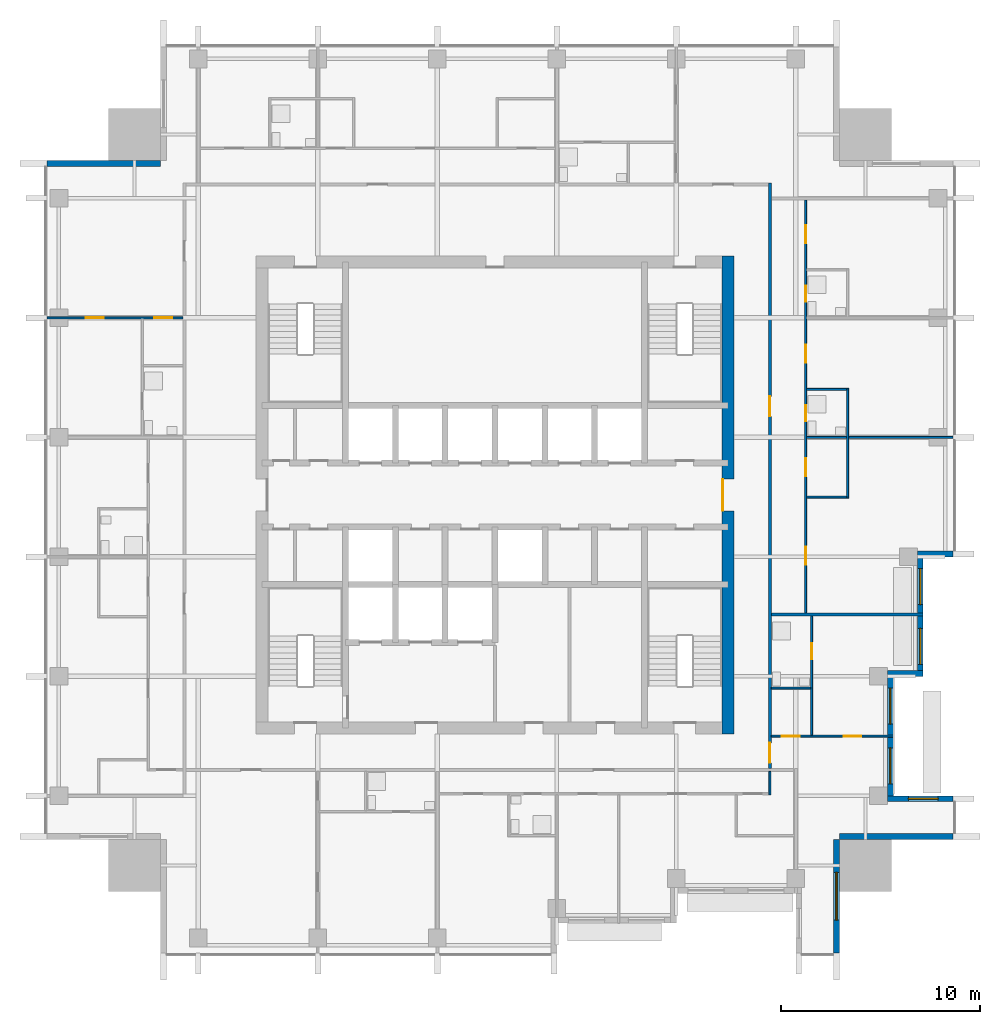
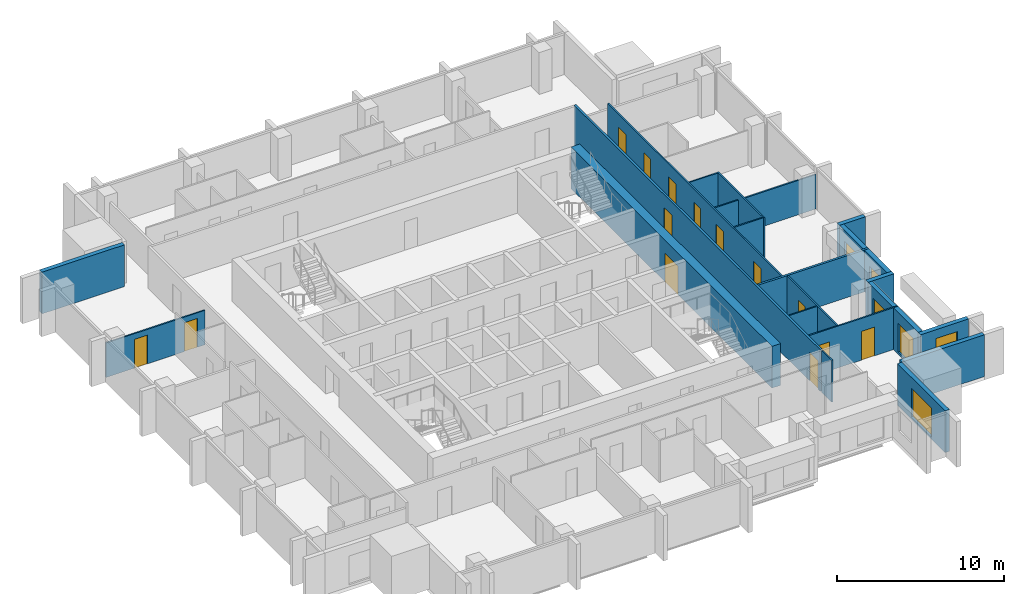
# One storey, part 6 of 10: 21 walls, 14 doors, 6 windows, 20 openings.
"""IFC4 building model written with IfcOpenShell, lengths in metres."""

from ifc_helpers import new_model, si_unit, direction, frame, frame_2d, origin, place, context, subcontext, project, spatial, rectangle, extrude, material, layer, layer_set, type_object, element, fill, save


model = new_model("IFC4")

# Units and contexts
model_context = context("Model", 3, precision=1e-05, world=origin(), true_north=direction((0.0, 1.0)))
body_context = subcontext(model_context, "Body", "Model", "MODEL_VIEW")
ifc_project = project(units=[si_unit("LENGTHUNIT", "METRE"), si_unit("AREAUNIT", "SQUARE_METRE"), si_unit("VOLUMEUNIT", "CUBIC_METRE"), si_unit("PLANEANGLEUNIT", "RADIAN"), si_unit("MASSUNIT", "GRAM", prefix="KILO")], contexts=[model_context])

# Site, building, storey
site_placement = place(None, origin())
site = spatial("IfcSite", under=ifc_project, at=site_placement, CompositionType="ELEMENT")
building_placement = place(site_placement, origin())
building = spatial("IfcBuilding", under=site, at=building_placement, Name="Amberfall Residences", CompositionType="ELEMENT")
storey_placement = place(building_placement, frame((0.0, 0.0, 193.60009765625)))
storey = spatial("IfcBuildingStorey", under=building, at=storey_placement, Name="L51", CompositionType="ELEMENT", Elevation=193.60009765625)

# Wall, opening, window
ifc_material_1 = material(Name="Pale stone cladding on insulated backing", Category="masonry")
ifc_layer_1 = layer(ifc_material_1, 0.300048828125)
ifc_layer_set_1 = layer_set([ifc_layer_1], Name="Bronze clad wall 300")
wall_type_1 = type_object("IfcWallType", Name="Bronze clad wall 300", PredefinedType="SOLIDWALL", material=ifc_layer_set_1)
wall_1_placement = place(storey_placement, frame((91.64990234375, 22.5, 0.0), z_axis=(0.0, 0.0, 1.0), x_axis=(0.0, 1.0, 0.0)))
wall_1 = element("IfcWall", 1, at=wall_1_placement, inside=storey, type_object=wall_type_1, Name="External wall L51 SE", PredefinedType="SOLIDWALL", context=body_context, shape_type="SweptSolid", body=[
    extrude(rectangle(XDim=5.699951171875, YDim=0.300048828125, at=frame_2d((2.85009765625, 0.0))), origin(), (0.0, 0.0, 1.0), 3.0498046875),
])
opening_1_placement = place(wall_1_placement, frame((1.64990234375, 0.0, 0.14990234375)))
opening_1 = element("IfcOpeningElement", 2, at=opening_1_placement, cuts=wall_1, Name="Opening WN5", PredefinedType="OPENING", context=body_context, shape_type="SweptSolid", body=[
    extrude(rectangle(XDim=2.39990234375, YDim=2.10009765625, at=frame_2d((1.199951171875, 1.050048828125))), frame((0.0, 0.159912109375, 0.0), z_axis=(0.0, -1.0, 0.0), x_axis=(1.0, 0.0, 0.0)), (0.0, 0.0, 1.0), 0.320068359375),
])
ifc_material_2 = material(Name="Bronze aluminium framed glazing", Category="aluminium")
window_type_1 = type_object("IfcWindowType", Name="Glazed opening 2400 x 2100 bronze", PartitioningType="DOUBLE_PANEL_VERTICAL", PredefinedType="WINDOW", material=ifc_material_2)
window_1_placement = place(opening_1_placement, origin())
window_1 = element("IfcWindow", 3, at=window_1_placement, inside=storey, type_object=window_type_1, Name="Window L51 SE", OverallHeight=2.10009765625, OverallWidth=2.39990234375, PartitioningType="DOUBLE_PANEL_VERTICAL", PredefinedType="WINDOW", context=body_context, shape_type="SweptSolid", body=[
    extrude(rectangle(XDim=2.39990234375, YDim=2.10009765625, at=frame_2d((1.199951171875, 1.050048828125))), frame((0.0, 0.030029296875, 0.0), z_axis=(0.0, -1.0, 0.0), x_axis=(1.0, 0.0, 0.0)), (0.0, 0.0, 1.0), 0.06005859375),
])
fill(opening_1, window_1)

# Wall
wall_2_placement = place(storey_placement, frame((91.800048828125, 28.35009765625, 0.0), z_axis=(0.0, 0.0, 1.0), x_axis=(1.0, 0.0, 0.0)))
element("IfcWall", 4, at=wall_2_placement, inside=storey, type_object=wall_type_1, Name="External wall L51 SE", PredefinedType="SOLIDWALL", context=body_context, shape_type="SweptSolid", body=[
    extrude(rectangle(XDim=5.699951171875, YDim=0.300048828125, at=frame_2d((2.85009765625, 0.0))), origin(), (0.0, 0.0, 1.0), 3.0498046875),
])

# Wall, opening, window
wall_3_placement = place(storey_placement, frame((97.5, 30.25, 0.0), z_axis=(0.0, 0.0, 1.0), x_axis=(-1.0, 0.0, 0.0)))
wall_3 = element("IfcWall", 5, at=wall_3_placement, inside=storey, type_object=wall_type_1, Name="External wall L51 E", PredefinedType="SOLIDWALL", context=body_context, shape_type="SweptSolid", body=[
    extrude(rectangle(XDim=3.300048828125, YDim=0.300048828125, at=frame_2d((1.64990234375, 0.0))), origin(), (0.0, 0.0, 1.0), 3.0498046875),
])
opening_2_placement = place(wall_3_placement, frame((0.75, 0.0, 0.89990234375)))
opening_2 = element("IfcOpeningElement", 6, at=opening_2_placement, cuts=wall_3, Name="Opening WN1", PredefinedType="OPENING", context=body_context, shape_type="SweptSolid", body=[
    extrude(rectangle(XDim=1.5, YDim=1.5, at=frame_2d((0.75, 0.75))), frame((0.0, 0.159912109375, 0.0), z_axis=(0.0, -1.0, 0.0), x_axis=(1.0, 0.0, 0.0)), (0.0, 0.0, 1.0), 0.320068359375),
])
window_type_2 = type_object("IfcWindowType", Name="Window 1500 x 1500 bronze", PartitioningType="DOUBLE_PANEL_VERTICAL", PredefinedType="WINDOW", material=ifc_material_2)
window_2_placement = place(opening_2_placement, origin())
window_2 = element("IfcWindow", 7, at=window_2_placement, inside=storey, type_object=window_type_2, Name="Window L51 E", OverallHeight=1.5, OverallWidth=1.5, PartitioningType="DOUBLE_PANEL_VERTICAL", PredefinedType="WINDOW", context=body_context, shape_type="SweptSolid", body=[
    extrude(rectangle(XDim=1.5, YDim=1.5, at=frame_2d((0.75, 0.75))), frame((0.0, 0.030029296875, 0.0), z_axis=(0.0, -1.0, 0.0), x_axis=(1.0, 0.0, 0.0)), (0.0, 0.0, 1.0), 0.06005859375),
])
fill(opening_2, window_2)

# Walls
for number, where, z_axis, x_axis, name in (
    (8, (94.199951171875, 36.550048828125, 0.0), (0.0, 0.0, 1.0), (1.0, 0.0, 0.0), "External wall L51 E"),
    (9, (95.699951171875, 42.550048828125, 0.0), (0.0, 0.0, 1.0), (1.0, 0.0, 0.0), "External wall L51 E"),
):
    element("IfcWall", number, at=place(storey_placement, frame(where, z_axis=z_axis, x_axis=x_axis)), inside=storey, type_object=wall_type_1, Name=name, PredefinedType="SOLIDWALL", context=body_context, shape_type="SweptSolid", body=[
        extrude(rectangle(XDim=1.800048828125, YDim=0.300048828125, at=frame_2d((0.89990234375, 0.0))), origin(), (0.0, 0.0, 1.0), 3.0498046875),
    ])
wall_4_placement = place(storey_placement, frame((57.699951171875, 62.14990234375, 0.0), z_axis=(0.0, 0.0, 1.0), x_axis=(-1.0, 0.0, 0.0)))
element("IfcWall", 10, at=wall_4_placement, inside=storey, type_object=wall_type_1, Name="External wall L51 NW", PredefinedType="SOLIDWALL", context=body_context, shape_type="SweptSolid", body=[
    extrude(rectangle(XDim=5.699951171875, YDim=0.300048828125, at=frame_2d((2.85009765625, 0.0))), origin(), (0.0, 0.0, 1.0), 3.0498046875),
])

# Wall, openings, windows
wall_5_placement = place(storey_placement, frame((94.35009765625, 30.39990234375, 0.0), z_axis=(0.0, 0.0, 1.0), x_axis=(0.0, 1.0, 0.0)))
wall_5 = element("IfcWall", 11, at=wall_5_placement, inside=storey, type_object=wall_type_1, Name="Stone wall L51 E", PredefinedType="SOLIDWALL", context=body_context, shape_type="SweptSolid", body=[
    extrude(rectangle(XDim=6.0, YDim=0.300048828125, at=frame_2d((3.0, 0.0))), origin(), (0.0, 0.0, 1.0), 3.0498046875),
])
opening_3_placement = place(wall_5_placement, frame((0.60009765625, 0.0, 0.14990234375)))
opening_3 = element("IfcOpeningElement", 12, at=opening_3_placement, cuts=wall_5, Name="Opening WN6", PredefinedType="OPENING", context=body_context, shape_type="SweptSolid", body=[
    extrude(rectangle(XDim=1.800048828125, YDim=2.10009765625, at=frame_2d((0.89990234375, 1.050048828125))), frame((0.0, 0.159912109375, 0.0), z_axis=(0.0, -1.0, 0.0), x_axis=(1.0, 0.0, 0.0)), (0.0, 0.0, 1.0), 0.320068359375),
])
opening_4_placement = place(wall_5_placement, frame((3.60009765625, 0.0, 0.14990234375)))
opening_4 = element("IfcOpeningElement", 13, at=opening_4_placement, cuts=wall_5, Name="Opening WN6", PredefinedType="OPENING", context=body_context, shape_type="SweptSolid", body=[
    extrude(rectangle(XDim=1.800048828125, YDim=2.10009765625, at=frame_2d((0.89990234375, 1.050048828125))), frame((0.0, 0.159912109375, 0.0), z_axis=(0.0, -1.0, 0.0), x_axis=(1.0, 0.0, 0.0)), (0.0, 0.0, 1.0), 0.320068359375),
])
window_type_3 = type_object("IfcWindowType", Name="Glazed opening 1800 x 2100 bronze", PartitioningType="DOUBLE_PANEL_VERTICAL", PredefinedType="WINDOW", material=ifc_material_2)
window_3_placement = place(opening_3_placement, origin())
window_3 = element("IfcWindow", 14, at=window_3_placement, inside=storey, type_object=window_type_3, Name="Window L51 E", OverallHeight=2.10009765625, OverallWidth=1.800048828125, PartitioningType="DOUBLE_PANEL_VERTICAL", PredefinedType="WINDOW", context=body_context, shape_type="SweptSolid", body=[
    extrude(rectangle(XDim=1.800048828125, YDim=2.10009765625, at=frame_2d((0.89990234375, 1.050048828125))), frame((0.0, 0.030029296875, 0.0), z_axis=(0.0, -1.0, 0.0), x_axis=(1.0, 0.0, 0.0)), (0.0, 0.0, 1.0), 0.06005859375),
])
fill(opening_3, window_3)
window_4_placement = place(opening_4_placement, origin())
window_4 = element("IfcWindow", 15, at=window_4_placement, inside=storey, type_object=window_type_3, Name="Window L51 E", OverallHeight=2.10009765625, OverallWidth=1.800048828125, PartitioningType="DOUBLE_PANEL_VERTICAL", PredefinedType="WINDOW", context=body_context, shape_type="SweptSolid", body=[
    extrude(rectangle(XDim=1.800048828125, YDim=2.10009765625, at=frame_2d((0.89990234375, 1.050048828125))), frame((0.0, 0.030029296875, 0.0), z_axis=(0.0, -1.0, 0.0), x_axis=(1.0, 0.0, 0.0)), (0.0, 0.0, 1.0), 0.06005859375),
])
fill(opening_4, window_4)

wall_6_placement = place(storey_placement, frame((95.85009765625, 36.699951171875, 0.0), z_axis=(0.0, 0.0, 1.0), x_axis=(0.0, 1.0, 0.0)))
wall_6 = element("IfcWall", 16, at=wall_6_placement, inside=storey, type_object=wall_type_1, Name="Stone wall L51 E", PredefinedType="SOLIDWALL", context=body_context, shape_type="SweptSolid", body=[
    extrude(rectangle(XDim=5.699951171875, YDim=0.300048828125, at=frame_2d((2.85009765625, 0.0))), origin(), (0.0, 0.0, 1.0), 3.0498046875),
])
opening_5_placement = place(wall_6_placement, frame((0.300048828125, 0.0, 0.14990234375)))
opening_5 = element("IfcOpeningElement", 17, at=opening_5_placement, cuts=wall_6, Name="Opening WN6", PredefinedType="OPENING", context=body_context, shape_type="SweptSolid", body=[
    extrude(rectangle(XDim=1.800048828125, YDim=2.10009765625, at=frame_2d((0.89990234375, 1.050048828125))), frame((0.0, 0.159912109375, 0.0), z_axis=(0.0, -1.0, 0.0), x_axis=(1.0, 0.0, 0.0)), (0.0, 0.0, 1.0), 0.320068359375),
])
opening_6_placement = place(wall_6_placement, frame((3.300048828125, 0.0, 0.14990234375)))
opening_6 = element("IfcOpeningElement", 18, at=opening_6_placement, cuts=wall_6, Name="Opening WN6", PredefinedType="OPENING", context=body_context, shape_type="SweptSolid", body=[
    extrude(rectangle(XDim=1.800048828125, YDim=2.10009765625, at=frame_2d((0.89990234375, 1.050048828125))), frame((0.0, 0.159912109375, 0.0), z_axis=(0.0, -1.0, 0.0), x_axis=(1.0, 0.0, 0.0)), (0.0, 0.0, 1.0), 0.320068359375),
])
window_5_placement = place(opening_5_placement, origin())
window_5 = element("IfcWindow", 19, at=window_5_placement, inside=storey, type_object=window_type_3, Name="Window L51 E", OverallHeight=2.10009765625, OverallWidth=1.800048828125, PartitioningType="DOUBLE_PANEL_VERTICAL", PredefinedType="WINDOW", context=body_context, shape_type="SweptSolid", body=[
    extrude(rectangle(XDim=1.800048828125, YDim=2.10009765625, at=frame_2d((0.89990234375, 1.050048828125))), frame((0.0, 0.030029296875, 0.0), z_axis=(0.0, -1.0, 0.0), x_axis=(1.0, 0.0, 0.0)), (0.0, 0.0, 1.0), 0.06005859375),
])
fill(opening_5, window_5)
window_6_placement = place(opening_6_placement, origin())
window_6 = element("IfcWindow", 20, at=window_6_placement, inside=storey, type_object=window_type_3, Name="Window L51 E", OverallHeight=2.10009765625, OverallWidth=1.800048828125, PartitioningType="DOUBLE_PANEL_VERTICAL", PredefinedType="WINDOW", context=body_context, shape_type="SweptSolid", body=[
    extrude(rectangle(XDim=1.800048828125, YDim=2.10009765625, at=frame_2d((0.89990234375, 1.050048828125))), frame((0.0, 0.030029296875, 0.0), z_axis=(0.0, -1.0, 0.0), x_axis=(1.0, 0.0, 0.0)), (0.0, 0.0, 1.0), 0.06005859375),
])
fill(opening_6, window_6)

# Wall, opening, door
ifc_material_3 = material(Name="Concrete C55", Category="concrete")
ifc_layer_2 = layer(ifc_material_3, 0.60009765625)
ifc_layer_set_2 = layer_set([ifc_layer_2], Name="Core wall 600 C55")
wall_type_2 = type_object("IfcWallType", Name="Core wall 600 C55", PredefinedType="SHEAR", material=ifc_layer_set_2)
wall_7_placement = place(storey_placement, frame((86.199951171875, 33.5, 0.0), z_axis=(0.0, 0.0, 1.0), x_axis=(0.0, 1.0, 0.0)))
wall_7 = element("IfcWall", 21, at=wall_7_placement, inside=storey, type_object=wall_type_2, Name="Core wall RW7 L51 OE", PredefinedType="SHEAR", context=body_context, shape_type="SweptSolid", body=[
    extrude(rectangle(XDim=24.0, YDim=0.60009765625, at=frame_2d((12.0, 0.0))), origin(), (0.0, 0.0, 1.0), 3.0498046875),
])
opening_7_placement = place(wall_7_placement, frame((11.199951171875, 0.0, 0.0)))
opening_7 = element("IfcOpeningElement", 22, at=opening_7_placement, cuts=wall_7, Name="Opening LB1", PredefinedType="OPENING", context=body_context, shape_type="SweptSolid", body=[
    extrude(rectangle(XDim=1.60009765625, YDim=2.10009765625, at=frame_2d((0.800048828125, 1.050048828125))), frame((0.0, 0.31005859375, 0.0), z_axis=(0.0, -1.0, 0.0), x_axis=(1.0, 0.0, 0.0)), (0.0, 0.0, 1.0), 0.6201171875),
])
ifc_material_4 = material(Name="Steel fire door set", Category="steel")
door_type_1 = type_object("IfcDoorType", Name="Lift lobby double door 1600 x 2100", OperationType="DOUBLE_DOOR_SINGLE_SWING", PredefinedType="DOOR", material=ifc_material_4)
door_1_placement = place(opening_7_placement, origin())
door_1 = element("IfcDoor", 23, at=door_1_placement, inside=storey, type_object=door_type_1, Name="LB1 L51", OperationType="DOUBLE_DOOR_SINGLE_SWING", OverallHeight=2.10009765625, OverallWidth=1.60009765625, PredefinedType="DOOR", context=body_context, shape_type="SweptSolid", body=[
    extrude(rectangle(XDim=1.60009765625, YDim=2.10009765625, at=frame_2d((0.800048828125, 1.050048828125))), frame((0.0, 0.28759765625, 0.0), z_axis=(0.0, -1.0, 0.0), x_axis=(1.0, 0.0, 0.0)), (0.0, 0.0, 1.0), 0.050048828125),
])
fill(opening_7, door_1)

# Wall
ifc_material_5 = material(Name="Gypsum board on metal stud")
ifc_layer_3 = layer(ifc_material_5, 0.10009765625)
ifc_layer_set_3 = layer_set([ifc_layer_3], Name="Flat partition 100")
wall_type_3 = type_object("IfcWallType", Name="Flat partition 100", PredefinedType="PARTITIONING", material=ifc_layer_set_3)
wall_8_placement = place(storey_placement, frame((88.300048828125, 30.449951171875, 0.0), z_axis=(0.0, 0.0, 1.0), x_axis=(0.0, 1.0, 0.0)))
element("IfcWall", 24, at=wall_8_placement, inside=storey, type_object=wall_type_3, Name="Partition 017", PredefinedType="PARTITIONING", context=body_context, shape_type="SweptSolid", body=[
    extrude(rectangle(XDim=1.175048828125, YDim=0.10009765625, at=frame_2d((0.58740234375, 0.0))), origin(), (0.0, 0.0, 1.0), 3.0498046875),
])

# Wall, openings, doors
wall_9_placement = place(storey_placement, frame((90.10009765625, 60.324951171875, 0.0), z_axis=(0.0, 0.0, 1.0), x_axis=(0.0, -1.0, 0.0)))
wall_9 = element("IfcWall", 25, at=wall_9_placement, inside=storey, type_object=wall_type_3, Name="Partition 018", PredefinedType="PARTITIONING", context=body_context, shape_type="SweptSolid", body=[
    extrude(rectangle(XDim=20.75, YDim=0.10009765625, at=frame_2d((10.375, 0.0))), origin(), (0.0, 0.0, 1.0), 3.0498046875),
])
opening_8_placement = place(wall_9_placement, frame((17.425048828125, 0.0, 0.0)))
opening_8 = element("IfcOpeningElement", 26, at=opening_8_placement, cuts=wall_9, Name="Opening D41", PredefinedType="OPENING", context=body_context, shape_type="SweptSolid", body=[
    extrude(rectangle(XDim=0.89990234375, YDim=2.10009765625, at=frame_2d((0.449951171875, 1.050048828125))), frame((0.0, 0.06005859375, 0.0), z_axis=(0.0, -1.0, 0.0), x_axis=(1.0, 0.0, 0.0)), (0.0, 0.0, 1.0), 0.1201171875),
])
opening_9_placement = place(wall_9_placement, frame((12.97509765625, 0.0, 0.0)))
opening_9 = element("IfcOpeningElement", 27, at=opening_9_placement, cuts=wall_9, Name="Opening D41", PredefinedType="OPENING", context=body_context, shape_type="SweptSolid", body=[
    extrude(rectangle(XDim=0.89990234375, YDim=2.10009765625, at=frame_2d((0.449951171875, 1.050048828125))), frame((0.0, 0.06005859375, 0.0), z_axis=(0.0, -1.0, 0.0), x_axis=(1.0, 0.0, 0.0)), (0.0, 0.0, 1.0), 0.1201171875),
])
opening_10_placement = place(wall_9_placement, frame((7.27490234375, 0.0, 0.0)))
opening_10 = element("IfcOpeningElement", 28, at=opening_10_placement, cuts=wall_9, Name="Opening D41", PredefinedType="OPENING", context=body_context, shape_type="SweptSolid", body=[
    extrude(rectangle(XDim=0.89990234375, YDim=2.10009765625, at=frame_2d((0.449951171875, 1.050048828125))), frame((0.0, 0.06005859375, 0.0), z_axis=(0.0, -1.0, 0.0), x_axis=(1.0, 0.0, 0.0)), (0.0, 0.0, 1.0), 0.1201171875),
])
opening_11_placement = place(wall_9_placement, frame((1.27490234375, 0.0, 0.0)))
opening_11 = element("IfcOpeningElement", 29, at=opening_11_placement, cuts=wall_9, Name="Opening D41", PredefinedType="OPENING", context=body_context, shape_type="SweptSolid", body=[
    extrude(rectangle(XDim=0.89990234375, YDim=2.10009765625, at=frame_2d((0.449951171875, 1.050048828125))), frame((0.0, 0.06005859375, 0.0), z_axis=(0.0, -1.0, 0.0), x_axis=(1.0, 0.0, 0.0)), (0.0, 0.0, 1.0), 0.1201171875),
])
opening_12_placement = place(wall_9_placement, frame((10.324951171875, 0.0, 0.0)))
opening_12 = element("IfcOpeningElement", 30, at=opening_12_placement, cuts=wall_9, Name="Opening D42", PredefinedType="OPENING", context=body_context, shape_type="SweptSolid", body=[
    extrude(rectangle(XDim=0.800048828125, YDim=2.10009765625, at=frame_2d((0.39990234375, 1.050048828125))), frame((0.0, 0.06005859375, 0.0), z_axis=(0.0, -1.0, 0.0), x_axis=(1.0, 0.0, 0.0)), (0.0, 0.0, 1.0), 0.1201171875),
])
opening_13_placement = place(wall_9_placement, frame((4.324951171875, 0.0, 0.0)))
opening_13 = element("IfcOpeningElement", 31, at=opening_13_placement, cuts=wall_9, Name="Opening D42", PredefinedType="OPENING", context=body_context, shape_type="SweptSolid", body=[
    extrude(rectangle(XDim=0.800048828125, YDim=2.10009765625, at=frame_2d((0.39990234375, 1.050048828125))), frame((0.0, 0.06005859375, 0.0), z_axis=(0.0, -1.0, 0.0), x_axis=(1.0, 0.0, 0.0)), (0.0, 0.0, 1.0), 0.1201171875),
])
ifc_material_6 = material(Name="Timber", Category="wood")
door_type_2 = type_object("IfcDoorType", Name="Bathroom door 800 x 2100", OperationType="SINGLE_SWING_LEFT", PredefinedType="DOOR", material=ifc_material_6)
door_2_placement = place(opening_12_placement, origin())
door_2 = element("IfcDoor", 32, at=door_2_placement, inside=storey, type_object=door_type_2, Name="Door 5104 bath1", OperationType="SINGLE_SWING_LEFT", OverallHeight=2.10009765625, OverallWidth=0.800048828125, PredefinedType="DOOR", context=body_context, shape_type="SweptSolid", body=[
    extrude(rectangle(XDim=0.800048828125, YDim=2.10009765625, at=frame_2d((0.39990234375, 1.050048828125))), frame((0.0, 0.02490234375, 0.0), z_axis=(0.0, -1.0, 0.0), x_axis=(1.0, 0.0, 0.0)), (0.0, 0.0, 1.0), 0.050048828125),
])
fill(opening_12, door_2)
door_3_placement = place(opening_13_placement, origin())
door_3 = element("IfcDoor", 33, at=door_3_placement, inside=storey, type_object=door_type_2, Name="Door 5104 bath2", OperationType="SINGLE_SWING_LEFT", OverallHeight=2.10009765625, OverallWidth=0.800048828125, PredefinedType="DOOR", context=body_context, shape_type="SweptSolid", body=[
    extrude(rectangle(XDim=0.800048828125, YDim=2.10009765625, at=frame_2d((0.39990234375, 1.050048828125))), frame((0.0, 0.02490234375, 0.0), z_axis=(0.0, -1.0, 0.0), x_axis=(1.0, 0.0, 0.0)), (0.0, 0.0, 1.0), 0.050048828125),
])
fill(opening_13, door_3)
door_type_3 = type_object("IfcDoorType", Name="Internal door 900 x 2100", OperationType="SINGLE_SWING_LEFT", PredefinedType="DOOR", material=ifc_material_6)
door_4_placement = place(opening_8_placement, origin())
door_4 = element("IfcDoor", 34, at=door_4_placement, inside=storey, type_object=door_type_3, Name="Door 5104 living", OperationType="SINGLE_SWING_LEFT", OverallHeight=2.10009765625, OverallWidth=0.89990234375, PredefinedType="DOOR", context=body_context, shape_type="SweptSolid", body=[
    extrude(rectangle(XDim=0.89990234375, YDim=2.10009765625, at=frame_2d((0.449951171875, 1.050048828125))), frame((0.0, 0.02490234375, 0.0), z_axis=(0.0, -1.0, 0.0), x_axis=(1.0, 0.0, 0.0)), (0.0, 0.0, 1.0), 0.050048828125),
])
fill(opening_8, door_4)
door_5_placement = place(opening_9_placement, origin())
door_5 = element("IfcDoor", 35, at=door_5_placement, inside=storey, type_object=door_type_3, Name="Door 5104 kitchen", OperationType="SINGLE_SWING_LEFT", OverallHeight=2.10009765625, OverallWidth=0.89990234375, PredefinedType="DOOR", context=body_context, shape_type="SweptSolid", body=[
    extrude(rectangle(XDim=0.89990234375, YDim=2.10009765625, at=frame_2d((0.449951171875, 1.050048828125))), frame((0.0, 0.02490234375, 0.0), z_axis=(0.0, -1.0, 0.0), x_axis=(1.0, 0.0, 0.0)), (0.0, 0.0, 1.0), 0.050048828125),
])
fill(opening_9, door_5)
door_6_placement = place(opening_10_placement, origin())
door_6 = element("IfcDoor", 36, at=door_6_placement, inside=storey, type_object=door_type_3, Name="Door 5104 bedroom1", OperationType="SINGLE_SWING_LEFT", OverallHeight=2.10009765625, OverallWidth=0.89990234375, PredefinedType="DOOR", context=body_context, shape_type="SweptSolid", body=[
    extrude(rectangle(XDim=0.89990234375, YDim=2.10009765625, at=frame_2d((0.449951171875, 1.050048828125))), frame((0.0, 0.02490234375, 0.0), z_axis=(0.0, -1.0, 0.0), x_axis=(1.0, 0.0, 0.0)), (0.0, 0.0, 1.0), 0.050048828125),
])
fill(opening_10, door_6)
door_7_placement = place(opening_11_placement, origin())
door_7 = element("IfcDoor", 37, at=door_7_placement, inside=storey, type_object=door_type_3, Name="Door 5104 bedroom2", OperationType="SINGLE_SWING_LEFT", OverallHeight=2.10009765625, OverallWidth=0.89990234375, PredefinedType="DOOR", context=body_context, shape_type="SweptSolid", body=[
    extrude(rectangle(XDim=0.89990234375, YDim=2.10009765625, at=frame_2d((0.449951171875, 1.050048828125))), frame((0.0, 0.02490234375, 0.0), z_axis=(0.0, -1.0, 0.0), x_axis=(1.0, 0.0, 0.0)), (0.0, 0.0, 1.0), 0.050048828125),
])
fill(opening_11, door_7)

# Wall, opening, door
wall_10_placement = place(storey_placement, frame((90.39990234375, 33.449951171875, 0.0), z_axis=(0.0, 0.0, 1.0), x_axis=(0.0, 1.0, 0.0)))
wall_10 = element("IfcWall", 38, at=wall_10_placement, inside=storey, type_object=wall_type_3, Name="Partition 019", PredefinedType="PARTITIONING", context=body_context, shape_type="SweptSolid", body=[
    extrude(rectangle(XDim=5.97509765625, YDim=0.10009765625, at=frame_2d((2.987548828125, 0.0))), origin(), (0.0, 0.0, 1.0), 3.0498046875),
])
opening_14_placement = place(wall_10_placement, frame((3.800048828125, 0.0, 0.0)))
opening_14 = element("IfcOpeningElement", 39, at=opening_14_placement, cuts=wall_10, Name="Opening D42", PredefinedType="OPENING", context=body_context, shape_type="SweptSolid", body=[
    extrude(rectangle(XDim=0.800048828125, YDim=2.10009765625, at=frame_2d((0.39990234375, 1.050048828125))), frame((0.0, 0.06005859375, 0.0), z_axis=(0.0, -1.0, 0.0), x_axis=(1.0, 0.0, 0.0)), (0.0, 0.0, 1.0), 0.1201171875),
])
door_8_placement = place(opening_14_placement, origin())
door_8 = element("IfcDoor", 40, at=door_8_placement, inside=storey, type_object=door_type_2, Name="Door 5103 bath1", OperationType="SINGLE_SWING_LEFT", OverallHeight=2.10009765625, OverallWidth=0.800048828125, PredefinedType="DOOR", context=body_context, shape_type="SweptSolid", body=[
    extrude(rectangle(XDim=0.800048828125, YDim=2.10009765625, at=frame_2d((0.39990234375, 1.050048828125))), frame((0.0, 0.02490234375, 0.0), z_axis=(0.0, -1.0, 0.0), x_axis=(1.0, 0.0, 0.0)), (0.0, 0.0, 1.0), 0.050048828125),
])
fill(opening_14, door_8)

# Wall
wall_11_placement = place(storey_placement, frame((92.199951171875, 45.35009765625, 0.0), z_axis=(0.0, 0.0, 1.0), x_axis=(0.0, 1.0, 0.0)))
element("IfcWall", 41, at=wall_11_placement, inside=storey, type_object=wall_type_3, Name="Partition 020", PredefinedType="PARTITIONING", context=body_context, shape_type="SweptSolid", body=[
    extrude(rectangle(XDim=5.5, YDim=0.10009765625, at=frame_2d((2.75, 0.0))), origin(), (0.0, 0.0, 1.0), 3.0498046875),
])

# Wall, openings, doors
wall_12_placement = place(storey_placement, frame((58.824951171875, 54.39990234375, 0.0), z_axis=(0.0, 0.0, 1.0), x_axis=(-1.0, 0.0, 0.0)))
wall_12 = element("IfcWall", 42, at=wall_12_placement, inside=storey, type_object=wall_type_3, Name="Partition 027", PredefinedType="PARTITIONING", context=body_context, shape_type="SweptSolid", body=[
    extrude(rectangle(XDim=6.824951171875, YDim=0.10009765625, at=frame_2d((3.41259765625, 0.0))), origin(), (0.0, 0.0, 1.0), 2.515869140625),
])
opening_15_placement = place(wall_12_placement, frame((0.52490234375, 0.0, 0.0)))
opening_15 = element("IfcOpeningElement", 43, at=opening_15_placement, cuts=wall_12, Name="Opening D41", PredefinedType="OPENING", context=body_context, shape_type="SweptSolid", body=[
    extrude(rectangle(XDim=0.89990234375, YDim=2.10009765625, at=frame_2d((0.449951171875, 1.050048828125))), frame((0.0, 0.06005859375, 0.0), z_axis=(0.0, -1.0, 0.0), x_axis=(1.0, 0.0, 0.0)), (0.0, 0.0, 1.0), 0.1201171875),
])
opening_16_placement = place(wall_12_placement, frame((3.97509765625, 0.0, 0.0)))
opening_16 = element("IfcOpeningElement", 44, at=opening_16_placement, cuts=wall_12, Name="Opening D41", PredefinedType="OPENING", context=body_context, shape_type="SweptSolid", body=[
    extrude(rectangle(XDim=0.89990234375, YDim=2.10009765625, at=frame_2d((0.449951171875, 1.050048828125))), frame((0.0, 0.06005859375, 0.0), z_axis=(0.0, -1.0, 0.0), x_axis=(1.0, 0.0, 0.0)), (0.0, 0.0, 1.0), 0.1201171875),
])
door_9_placement = place(opening_15_placement, origin())
door_9 = element("IfcDoor", 45, at=door_9_placement, inside=storey, type_object=door_type_3, Name="Door 5108 kitchen", OperationType="SINGLE_SWING_LEFT", OverallHeight=2.10009765625, OverallWidth=0.89990234375, PredefinedType="DOOR", context=body_context, shape_type="SweptSolid", body=[
    extrude(rectangle(XDim=0.89990234375, YDim=2.10009765625, at=frame_2d((0.449951171875, 1.050048828125))), frame((0.0, 0.02490234375, 0.0), z_axis=(0.0, -1.0, 0.0), x_axis=(1.0, 0.0, 0.0)), (0.0, 0.0, 1.0), 0.050048828125),
])
fill(opening_15, door_9)
door_10_placement = place(opening_16_placement, origin())
door_10 = element("IfcDoor", 46, at=door_10_placement, inside=storey, type_object=door_type_3, Name="Door 5108 bedroom1", OperationType="SINGLE_SWING_LEFT", OverallHeight=2.10009765625, OverallWidth=0.89990234375, PredefinedType="DOOR", context=body_context, shape_type="SweptSolid", body=[
    extrude(rectangle(XDim=0.89990234375, YDim=2.10009765625, at=frame_2d((0.449951171875, 1.050048828125))), frame((0.0, 0.02490234375, 0.0), z_axis=(0.0, -1.0, 0.0), x_axis=(1.0, 0.0, 0.0)), (0.0, 0.0, 1.0), 0.050048828125),
])
fill(opening_16, door_10)

# Walls
wall_13_placement = place(storey_placement, frame((90.14990234375, 50.800048828125, 0.0), z_axis=(0.0, 0.0, 1.0), x_axis=(1.0, 0.0, 0.0)))
element("IfcWall", 47, at=wall_13_placement, inside=storey, type_object=wall_type_3, Name="Partition 030", PredefinedType="PARTITIONING", context=body_context, shape_type="SweptSolid", body=[
    extrude(rectangle(XDim=2.0, YDim=0.10009765625, at=frame_2d((1.0, 0.0))), origin(), (0.0, 0.0, 1.0), 3.0498046875),
])
wall_14_placement = place(storey_placement, frame((90.14990234375, 48.39990234375, 0.0), z_axis=(0.0, 0.0, 1.0), x_axis=(1.0, 0.0, 0.0)))
element("IfcWall", 48, at=wall_14_placement, inside=storey, type_object=wall_type_3, Name="Partition 031", PredefinedType="PARTITIONING", context=body_context, shape_type="SweptSolid", body=[
    extrude(rectangle(XDim=7.35009765625, YDim=0.10009765625, at=frame_2d((3.675048828125, 0.0))), origin(), (0.0, 0.0, 1.0), 2.515869140625),
])
wall_15_placement = place(storey_placement, frame((90.14990234375, 45.39990234375, 0.0), z_axis=(0.0, 0.0, 1.0), x_axis=(1.0, 0.0, 0.0)))
element("IfcWall", 49, at=wall_15_placement, inside=storey, type_object=wall_type_3, Name="Partition 032", PredefinedType="PARTITIONING", context=body_context, shape_type="SweptSolid", body=[
    extrude(rectangle(XDim=2.0, YDim=0.10009765625, at=frame_2d((1.0, 0.0))), origin(), (0.0, 0.0, 1.0), 3.0498046875),
])
wall_16_placement = place(storey_placement, frame((88.375, 35.800048828125, 0.0), z_axis=(0.0, 0.0, 1.0), x_axis=(1.0, 0.0, 0.0)))
element("IfcWall", 50, at=wall_16_placement, inside=storey, type_object=wall_type_3, Name="Partition 036", PredefinedType="PARTITIONING", context=body_context, shape_type="SweptSolid", body=[
    extrude(rectangle(XDim=1.97509765625, YDim=0.10009765625, at=frame_2d((0.987548828125, 0.0))), origin(), (0.0, 0.0, 1.0), 3.0498046875),
])

# Wall, openings, doors
wall_17_placement = place(storey_placement, frame((88.375, 33.39990234375, 0.0), z_axis=(0.0, 0.0, 1.0), x_axis=(1.0, 0.0, 0.0)))
wall_17 = element("IfcWall", 51, at=wall_17_placement, inside=storey, type_object=wall_type_3, Name="Partition 037", PredefinedType="PARTITIONING", context=body_context, shape_type="SweptSolid", body=[
    extrude(rectangle(XDim=6.125, YDim=0.10009765625, at=frame_2d((3.0625, 0.0))), origin(), (0.0, 0.0, 1.0), 3.0498046875),
])
opening_17_placement = place(wall_17_placement, frame((0.52490234375, 0.0, 0.0)))
opening_17 = element("IfcOpeningElement", 52, at=opening_17_placement, cuts=wall_17, Name="Opening D41", PredefinedType="OPENING", context=body_context, shape_type="SweptSolid", body=[
    extrude(rectangle(XDim=0.89990234375, YDim=2.10009765625, at=frame_2d((0.449951171875, 1.050048828125))), frame((0.0, 0.06005859375, 0.0), z_axis=(0.0, -1.0, 0.0), x_axis=(1.0, 0.0, 0.0)), (0.0, 0.0, 1.0), 0.1201171875),
])
opening_18_placement = place(wall_17_placement, frame((3.625, 0.0, 0.0)))
opening_18 = element("IfcOpeningElement", 53, at=opening_18_placement, cuts=wall_17, Name="Opening D41", PredefinedType="OPENING", context=body_context, shape_type="SweptSolid", body=[
    extrude(rectangle(XDim=0.89990234375, YDim=2.10009765625, at=frame_2d((0.449951171875, 1.050048828125))), frame((0.0, 0.06005859375, 0.0), z_axis=(0.0, -1.0, 0.0), x_axis=(1.0, 0.0, 0.0)), (0.0, 0.0, 1.0), 0.1201171875),
])
door_11_placement = place(opening_17_placement, origin())
door_11 = element("IfcDoor", 54, at=door_11_placement, inside=storey, type_object=door_type_3, Name="Door 5103 kitchen", OperationType="SINGLE_SWING_LEFT", OverallHeight=2.10009765625, OverallWidth=0.89990234375, PredefinedType="DOOR", context=body_context, shape_type="SweptSolid", body=[
    extrude(rectangle(XDim=0.89990234375, YDim=2.10009765625, at=frame_2d((0.449951171875, 1.050048828125))), frame((0.0, 0.02490234375, 0.0), z_axis=(0.0, -1.0, 0.0), x_axis=(1.0, 0.0, 0.0)), (0.0, 0.0, 1.0), 0.050048828125),
])
fill(opening_17, door_11)
door_12_placement = place(opening_18_placement, origin())
door_12 = element("IfcDoor", 55, at=door_12_placement, inside=storey, type_object=door_type_3, Name="Door 5103 bedroom1", OperationType="SINGLE_SWING_LEFT", OverallHeight=2.10009765625, OverallWidth=0.89990234375, PredefinedType="DOOR", context=body_context, shape_type="SweptSolid", body=[
    extrude(rectangle(XDim=0.89990234375, YDim=2.10009765625, at=frame_2d((0.449951171875, 1.050048828125))), frame((0.0, 0.02490234375, 0.0), z_axis=(0.0, -1.0, 0.0), x_axis=(1.0, 0.0, 0.0)), (0.0, 0.0, 1.0), 0.050048828125),
])
fill(opening_18, door_12)

ifc_material_7 = material(Name="Blockwork, plastered", Category="masonry")
ifc_layer_4 = layer(ifc_material_7, 0.14990234375)
ifc_layer_set_4 = layer_set([ifc_layer_4], Name="Flat separating wall 150")
wall_type_4 = type_object("IfcWallType", Name="Flat separating wall 150", PredefinedType="PARTITIONING", material=ifc_layer_set_4)
wall_18_placement = place(storey_placement, frame((88.300048828125, 61.175048828125, 0.0), z_axis=(0.0, 0.0, 1.0), x_axis=(0.0, -1.0, 0.0)))
wall_18 = element("IfcWall", 56, at=wall_18_placement, inside=storey, type_object=wall_type_4, Name="Separating wall 048", PredefinedType="PARTITIONING", context=body_context, shape_type="SweptSolid", body=[
    extrude(rectangle(XDim=29.400146484375, YDim=0.14990234375, at=frame_2d((14.7001953125, 0.0))), origin(), (0.0, 0.0, 1.0), 3.0498046875),
])
opening_19_placement = place(wall_18_placement, frame((28.125, 0.0, 0.0)))
opening_19 = element("IfcOpeningElement", 57, at=opening_19_placement, cuts=wall_18, Name="Opening D40", PredefinedType="OPENING", context=body_context, shape_type="SweptSolid", body=[
    extrude(rectangle(XDim=1.0, YDim=2.10009765625, at=frame_2d((0.5, 1.050048828125))), frame((0.0, 0.0849609375, 0.0), z_axis=(0.0, -1.0, 0.0), x_axis=(1.0, 0.0, 0.0)), (0.0, 0.0, 1.0), 0.169921875),
])
opening_20_placement = place(wall_18_placement, frame((10.72509765625, 0.0, 0.0)))
opening_20 = element("IfcOpeningElement", 58, at=opening_20_placement, cuts=wall_18, Name="Opening D40", PredefinedType="OPENING", context=body_context, shape_type="SweptSolid", body=[
    extrude(rectangle(XDim=1.0, YDim=2.10009765625, at=frame_2d((0.5, 1.050048828125))), frame((0.0, 0.0849609375, 0.0), z_axis=(0.0, -1.0, 0.0), x_axis=(1.0, 0.0, 0.0)), (0.0, 0.0, 1.0), 0.169921875),
])
ifc_material_8 = material(Name="Timber, fire-rated", Category="wood")
door_type_4 = type_object("IfcDoorType", Name="Flat entrance door FD60 1000 x 2100", OperationType="SINGLE_SWING_LEFT", PredefinedType="DOOR", material=ifc_material_8)
door_13_placement = place(opening_19_placement, origin())
door_13 = element("IfcDoor", 59, at=door_13_placement, inside=storey, type_object=door_type_4, Name="Door 5103 entrance", OperationType="SINGLE_SWING_LEFT", OverallHeight=2.10009765625, OverallWidth=1.0, PredefinedType="DOOR", context=body_context, shape_type="SweptSolid", body=[
    extrude(rectangle(XDim=1.0, YDim=2.10009765625, at=frame_2d((0.5, 1.050048828125))), frame((0.0, 0.02490234375, 0.0), z_axis=(0.0, -1.0, 0.0), x_axis=(1.0, 0.0, 0.0)), (0.0, 0.0, 1.0), 0.050048828125),
])
fill(opening_19, door_13)
door_14_placement = place(opening_20_placement, origin())
door_14 = element("IfcDoor", 60, at=door_14_placement, inside=storey, type_object=door_type_4, Name="Door 5104 entrance", OperationType="SINGLE_SWING_LEFT", OverallHeight=2.10009765625, OverallWidth=1.0, PredefinedType="DOOR", context=body_context, shape_type="SweptSolid", body=[
    extrude(rectangle(XDim=1.0, YDim=2.10009765625, at=frame_2d((0.5, 1.050048828125))), frame((0.0, 0.02490234375, 0.0), z_axis=(0.0, -1.0, 0.0), x_axis=(1.0, 0.0, 0.0)), (0.0, 0.0, 1.0), 0.050048828125),
])
fill(opening_20, door_14)

# Wall
wall_19_placement = place(storey_placement, frame((88.375, 39.5, 0.0), z_axis=(0.0, 0.0, 1.0), x_axis=(1.0, 0.0, 0.0)))
element("IfcWall", 61, at=wall_19_placement, inside=storey, type_object=wall_type_4, Name="Separating wall 053", PredefinedType="PARTITIONING", context=body_context, shape_type="SweptSolid", body=[
    extrude(rectangle(XDim=7.625, YDim=0.14990234375, at=frame_2d((3.8125, 0.0))), origin(), (0.0, 0.0, 1.0), 3.0498046875),
])

save(model, "model.ifc")
